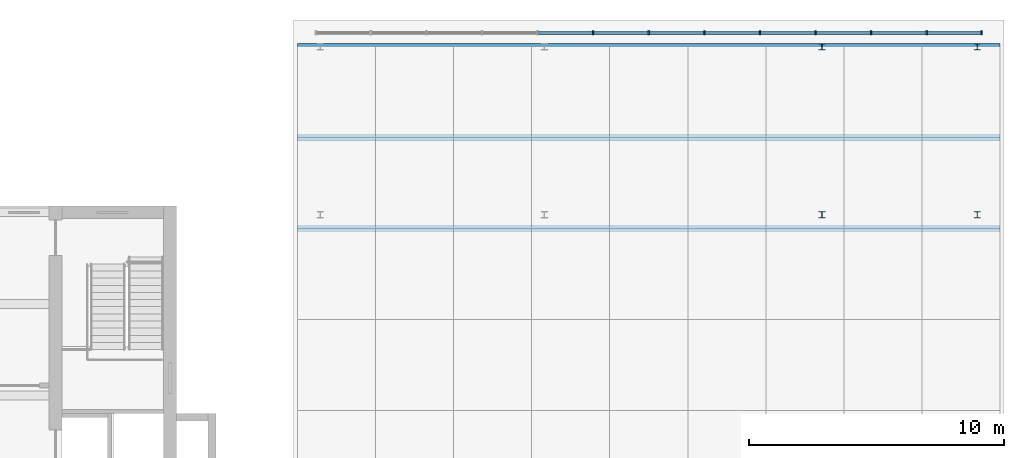
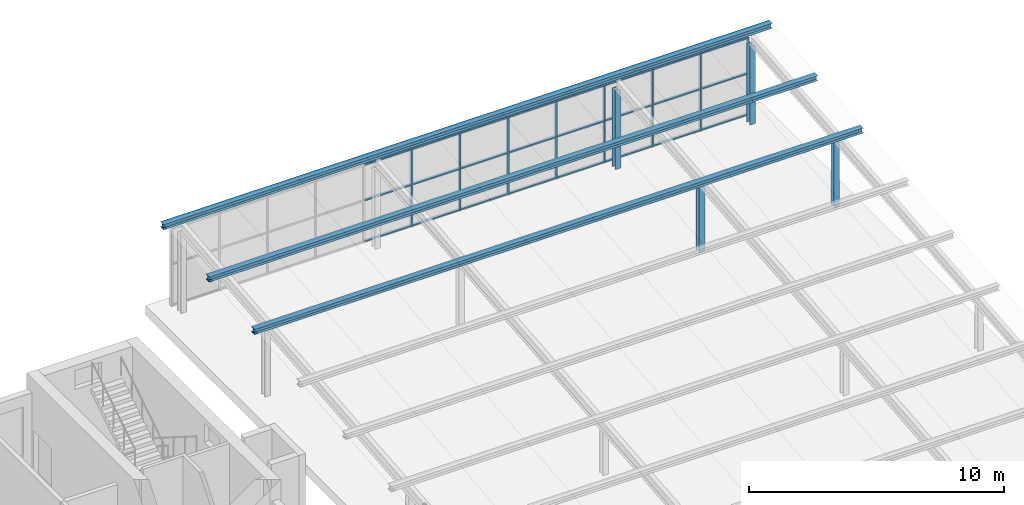
# One storey, part 27 of 44: 39 members, 1 element without a shape of its own.
"""IFC4 building model written with IfcOpenShell, lengths in metres."""

from ifc_helpers import new_model, si_unit, direction, frame, origin, origin_2d, place, context, subcontext, project, spatial, rectangle, i_section, extrude, material, layer, layer_set, material_profile, profile_set, type_object, element, aggregate, save


model = new_model("IFC4")

# Units and contexts
model_context = context("Model", 3, precision=1e-05, world=origin(), true_north=direction((0.0, 1.0)))
body_context = subcontext(model_context, "Body", "Model", "MODEL_VIEW")
ifc_project = project(units=[si_unit("LENGTHUNIT", "METRE"), si_unit("AREAUNIT", "SQUARE_METRE"), si_unit("VOLUMEUNIT", "CUBIC_METRE"), si_unit("PLANEANGLEUNIT", "RADIAN"), si_unit("MASSUNIT", "GRAM", prefix="KILO")], contexts=[model_context])

# Site, building, storey
site_placement = place(None, origin())
site = spatial("IfcSite", under=ifc_project, at=site_placement, CompositionType="ELEMENT")
building_placement = place(site_placement, origin())
building = spatial("IfcBuilding", under=site, at=building_placement, Name="Basin Gate Institute", CompositionType="ELEMENT")
storey_placement = place(building_placement, frame((0.0, 0.0, 27.0)))
storey = spatial("IfcBuildingStorey", under=building, at=storey_placement, Name="L05", CompositionType="ELEMENT", Elevation=27.0)

# Curtain wall, members
ifc_material_1 = material(Name="Aluminium and glass curtain wall", Category="aluminium")
ifc_layer = layer(ifc_material_1, 0.14990234375)
ifc_layer_set = layer_set([ifc_layer], Name="Atrium curtain wall CW81")
curtain_wall_type = type_object("IfcCurtainWallType", Name="Atrium curtain wall CW81", PredefinedType="NOTDEFINED", material=ifc_layer_set)
curtain_wall_placement = place(storey_placement, origin())
curtain_wall = element("IfcCurtainWall", 1, at=curtain_wall_placement, inside=storey, type_object=curtain_wall_type, material=ifc_layer_set, Name="Clean block north clerestory glazing", PredefinedType="NOTDEFINED")
ifc_material_2 = material(Name="Aluminium mullion", Category="aluminium")
ifc_material_profile_1 = material_profile(ifc_material_2, rectangle(XDim=0.159912109375, YDim=0.06005859375, at=origin_2d()), Name="Atrium mullion MU81 160 x 60")
ifc_profile_set_1 = profile_set([ifc_material_profile_1], Name="Aluminium mullion")
member_type_1 = type_object("IfcMemberType", Name="Atrium mullion MU81", PredefinedType="MULLION", material=ifc_profile_set_1)
member_1_placement = place(storey_placement, frame((135.416748046875, 106.949951171875, 0.0), z_axis=(0.0, 0.0, 1.0), x_axis=(0.0, 1.0, 0.0)))
member_1 = element("IfcMember", 2, at=member_1_placement, type_object=member_type_1, material=ifc_profile_set_1, Name="CW81 mullion 6", PredefinedType="MULLION", context=body_context, shape_type="SweptSolid", body=[
    extrude(rectangle(XDim=0.159912109375, YDim=0.06005859375, at=origin_2d()), origin(), (0.0, 0.0, 1.0), 3.729736328125),
])
member_2_placement = place(storey_placement, frame((137.60009765625, 106.949951171875, 0.0), z_axis=(0.0, 0.0, 1.0), x_axis=(0.0, 1.0, 0.0)))
member_2 = element("IfcMember", 3, at=member_2_placement, type_object=member_type_1, material=ifc_profile_set_1, Name="CW81 mullion 7", PredefinedType="MULLION", context=body_context, shape_type="SweptSolid", body=[
    extrude(rectangle(XDim=0.159912109375, YDim=0.06005859375, at=origin_2d()), origin(), (0.0, 0.0, 1.0), 3.729736328125),
])
member_3_placement = place(storey_placement, frame((139.783447265625, 106.949951171875, 0.0), z_axis=(0.0, 0.0, 1.0), x_axis=(0.0, 1.0, 0.0)))
member_3 = element("IfcMember", 4, at=member_3_placement, type_object=member_type_1, material=ifc_profile_set_1, Name="CW81 mullion 8", PredefinedType="MULLION", context=body_context, shape_type="SweptSolid", body=[
    extrude(rectangle(XDim=0.159912109375, YDim=0.06005859375, at=origin_2d()), origin(), (0.0, 0.0, 1.0), 3.729736328125),
])
member_4_placement = place(storey_placement, frame((141.966552734375, 106.949951171875, 0.0), z_axis=(0.0, 0.0, 1.0), x_axis=(0.0, 1.0, 0.0)))
member_4 = element("IfcMember", 5, at=member_4_placement, type_object=member_type_1, material=ifc_profile_set_1, Name="CW81 mullion 9", PredefinedType="MULLION", context=body_context, shape_type="SweptSolid", body=[
    extrude(rectangle(XDim=0.159912109375, YDim=0.06005859375, at=origin_2d()), origin(), (0.0, 0.0, 1.0), 3.729736328125),
])
member_5_placement = place(storey_placement, frame((144.14990234375, 106.949951171875, 0.0), z_axis=(0.0, 0.0, 1.0), x_axis=(0.0, 1.0, 0.0)))
member_5 = element("IfcMember", 6, at=member_5_placement, type_object=member_type_1, material=ifc_profile_set_1, Name="CW81 mullion 10", PredefinedType="MULLION", context=body_context, shape_type="SweptSolid", body=[
    extrude(rectangle(XDim=0.159912109375, YDim=0.06005859375, at=origin_2d()), origin(), (0.0, 0.0, 1.0), 3.729736328125),
])
member_6_placement = place(storey_placement, frame((146.333251953125, 106.949951171875, 0.0), z_axis=(0.0, 0.0, 1.0), x_axis=(0.0, 1.0, 0.0)))
member_6 = element("IfcMember", 7, at=member_6_placement, type_object=member_type_1, material=ifc_profile_set_1, Name="CW81 mullion 11", PredefinedType="MULLION", context=body_context, shape_type="SweptSolid", body=[
    extrude(rectangle(XDim=0.159912109375, YDim=0.06005859375, at=origin_2d()), origin(), (0.0, 0.0, 1.0), 3.729736328125),
])
member_7_placement = place(storey_placement, frame((148.5166015625, 106.949951171875, 0.0), z_axis=(0.0, 0.0, 1.0), x_axis=(0.0, 1.0, 0.0)))
member_7 = element("IfcMember", 8, at=member_7_placement, type_object=member_type_1, material=ifc_profile_set_1, Name="CW81 mullion 12", PredefinedType="MULLION", context=body_context, shape_type="SweptSolid", body=[
    extrude(rectangle(XDim=0.159912109375, YDim=0.06005859375, at=origin_2d()), origin(), (0.0, 0.0, 1.0), 3.729736328125),
])
member_8_placement = place(storey_placement, frame((150.669921875, 106.949951171875, 0.0), z_axis=(0.0, 0.0, 1.0), x_axis=(0.0, 1.0, 0.0)))
member_8 = element("IfcMember", 9, at=member_8_placement, type_object=member_type_1, material=ifc_profile_set_1, Name="CW81 mullion 13", PredefinedType="MULLION", context=body_context, shape_type="SweptSolid", body=[
    extrude(rectangle(XDim=0.159912109375, YDim=0.06005859375, at=origin_2d()), origin(), (0.0, 0.0, 1.0), 3.729736328125),
])
ifc_material_3 = material(Name="Aluminium transom", Category="aluminium")
ifc_material_profile_2 = material_profile(ifc_material_3, rectangle(XDim=0.1201171875, YDim=0.06005859375, at=origin_2d()), Name="Atrium transom TR81 120 x 60")
ifc_profile_set_2 = profile_set([ifc_material_profile_2], Name="Aluminium transom")
member_type_2 = type_object("IfcMemberType", Name="Atrium transom TR81", PredefinedType="USERDEFINED", material=ifc_profile_set_2)
member_9_placement = place(storey_placement, frame((133.263427734375, 106.949951171875, 0.030029296875), z_axis=(1.0, 0.0, 0.0), x_axis=(0.0, 1.0, 0.0)))
member_9 = element("IfcMember", 10, at=member_9_placement, type_object=member_type_2, material=ifc_profile_set_2, Name="CW81 transom 5.1", ObjectType="TRANSOM", PredefinedType="USERDEFINED", context=body_context, shape_type="SweptSolid", body=[
    extrude(rectangle(XDim=0.1201171875, YDim=0.06005859375, at=origin_2d()), origin(), (0.0, 0.0, 1.0), 2.123291015625),
])
member_10_placement = place(storey_placement, frame((133.263427734375, 106.949951171875, 2.0), z_axis=(1.0, 0.0, 0.0), x_axis=(0.0, 1.0, 0.0)))
member_10 = element("IfcMember", 11, at=member_10_placement, type_object=member_type_2, material=ifc_profile_set_2, Name="CW81 transom 5.2", ObjectType="TRANSOM", PredefinedType="USERDEFINED", context=body_context, shape_type="SweptSolid", body=[
    extrude(rectangle(XDim=0.1201171875, YDim=0.06005859375, at=origin_2d()), origin(), (0.0, 0.0, 1.0), 2.123291015625),
])
member_11_placement = place(storey_placement, frame((133.263427734375, 106.949951171875, 3.69970703125), z_axis=(1.0, 0.0, 0.0), x_axis=(0.0, 1.0, 0.0)))
member_11 = element("IfcMember", 12, at=member_11_placement, type_object=member_type_2, material=ifc_profile_set_2, Name="CW81 transom 5.3", ObjectType="TRANSOM", PredefinedType="USERDEFINED", context=body_context, shape_type="SweptSolid", body=[
    extrude(rectangle(XDim=0.1201171875, YDim=0.06005859375, at=origin_2d()), origin(), (0.0, 0.0, 1.0), 2.123291015625),
])
member_12_placement = place(storey_placement, frame((135.44677734375, 106.949951171875, 0.030029296875), z_axis=(1.0, 0.0, 0.0), x_axis=(0.0, 1.0, 0.0)))
member_12 = element("IfcMember", 13, at=member_12_placement, type_object=member_type_2, material=ifc_profile_set_2, Name="CW81 transom 6.1", ObjectType="TRANSOM", PredefinedType="USERDEFINED", context=body_context, shape_type="SweptSolid", body=[
    extrude(rectangle(XDim=0.1201171875, YDim=0.06005859375, at=origin_2d()), origin(), (0.0, 0.0, 1.0), 2.123291015625),
])
member_13_placement = place(storey_placement, frame((135.44677734375, 106.949951171875, 2.0), z_axis=(1.0, 0.0, 0.0), x_axis=(0.0, 1.0, 0.0)))
member_13 = element("IfcMember", 14, at=member_13_placement, type_object=member_type_2, material=ifc_profile_set_2, Name="CW81 transom 6.2", ObjectType="TRANSOM", PredefinedType="USERDEFINED", context=body_context, shape_type="SweptSolid", body=[
    extrude(rectangle(XDim=0.1201171875, YDim=0.06005859375, at=origin_2d()), origin(), (0.0, 0.0, 1.0), 2.123291015625),
])
member_14_placement = place(storey_placement, frame((135.44677734375, 106.949951171875, 3.69970703125), z_axis=(1.0, 0.0, 0.0), x_axis=(0.0, 1.0, 0.0)))
member_14 = element("IfcMember", 15, at=member_14_placement, type_object=member_type_2, material=ifc_profile_set_2, Name="CW81 transom 6.3", ObjectType="TRANSOM", PredefinedType="USERDEFINED", context=body_context, shape_type="SweptSolid", body=[
    extrude(rectangle(XDim=0.1201171875, YDim=0.06005859375, at=origin_2d()), origin(), (0.0, 0.0, 1.0), 2.123291015625),
])
member_15_placement = place(storey_placement, frame((137.6298828125, 106.949951171875, 0.030029296875), z_axis=(1.0, 0.0, 0.0), x_axis=(0.0, 1.0, 0.0)))
member_15 = element("IfcMember", 16, at=member_15_placement, type_object=member_type_2, material=ifc_profile_set_2, Name="CW81 transom 7.1", ObjectType="TRANSOM", PredefinedType="USERDEFINED", context=body_context, shape_type="SweptSolid", body=[
    extrude(rectangle(XDim=0.1201171875, YDim=0.06005859375, at=origin_2d()), origin(), (0.0, 0.0, 1.0), 2.12353515625),
])
member_16_placement = place(storey_placement, frame((137.6298828125, 106.949951171875, 2.0), z_axis=(1.0, 0.0, 0.0), x_axis=(0.0, 1.0, 0.0)))
member_16 = element("IfcMember", 17, at=member_16_placement, type_object=member_type_2, material=ifc_profile_set_2, Name="CW81 transom 7.2", ObjectType="TRANSOM", PredefinedType="USERDEFINED", context=body_context, shape_type="SweptSolid", body=[
    extrude(rectangle(XDim=0.1201171875, YDim=0.06005859375, at=origin_2d()), origin(), (0.0, 0.0, 1.0), 2.12353515625),
])
member_17_placement = place(storey_placement, frame((137.6298828125, 106.949951171875, 3.69970703125), z_axis=(1.0, 0.0, 0.0), x_axis=(0.0, 1.0, 0.0)))
member_17 = element("IfcMember", 18, at=member_17_placement, type_object=member_type_2, material=ifc_profile_set_2, Name="CW81 transom 7.3", ObjectType="TRANSOM", PredefinedType="USERDEFINED", context=body_context, shape_type="SweptSolid", body=[
    extrude(rectangle(XDim=0.1201171875, YDim=0.06005859375, at=origin_2d()), origin(), (0.0, 0.0, 1.0), 2.12353515625),
])
member_18_placement = place(storey_placement, frame((139.813232421875, 106.949951171875, 0.030029296875), z_axis=(1.0, 0.0, 0.0), x_axis=(0.0, 1.0, 0.0)))
member_18 = element("IfcMember", 19, at=member_18_placement, type_object=member_type_2, material=ifc_profile_set_2, Name="CW81 transom 8.1", ObjectType="TRANSOM", PredefinedType="USERDEFINED", context=body_context, shape_type="SweptSolid", body=[
    extrude(rectangle(XDim=0.1201171875, YDim=0.06005859375, at=origin_2d()), origin(), (0.0, 0.0, 1.0), 2.12353515625),
])
member_19_placement = place(storey_placement, frame((139.813232421875, 106.949951171875, 2.0), z_axis=(1.0, 0.0, 0.0), x_axis=(0.0, 1.0, 0.0)))
member_19 = element("IfcMember", 20, at=member_19_placement, type_object=member_type_2, material=ifc_profile_set_2, Name="CW81 transom 8.2", ObjectType="TRANSOM", PredefinedType="USERDEFINED", context=body_context, shape_type="SweptSolid", body=[
    extrude(rectangle(XDim=0.1201171875, YDim=0.06005859375, at=origin_2d()), origin(), (0.0, 0.0, 1.0), 2.12353515625),
])
member_20_placement = place(storey_placement, frame((139.813232421875, 106.949951171875, 3.69970703125), z_axis=(1.0, 0.0, 0.0), x_axis=(0.0, 1.0, 0.0)))
member_20 = element("IfcMember", 21, at=member_20_placement, type_object=member_type_2, material=ifc_profile_set_2, Name="CW81 transom 8.3", ObjectType="TRANSOM", PredefinedType="USERDEFINED", context=body_context, shape_type="SweptSolid", body=[
    extrude(rectangle(XDim=0.1201171875, YDim=0.06005859375, at=origin_2d()), origin(), (0.0, 0.0, 1.0), 2.12353515625),
])
member_21_placement = place(storey_placement, frame((141.99658203125, 106.949951171875, 0.030029296875), z_axis=(1.0, 0.0, 0.0), x_axis=(0.0, 1.0, 0.0)))
member_21 = element("IfcMember", 22, at=member_21_placement, type_object=member_type_2, material=ifc_profile_set_2, Name="CW81 transom 9.1", ObjectType="TRANSOM", PredefinedType="USERDEFINED", context=body_context, shape_type="SweptSolid", body=[
    extrude(rectangle(XDim=0.1201171875, YDim=0.06005859375, at=origin_2d()), origin(), (0.0, 0.0, 1.0), 2.12353515625),
])
member_22_placement = place(storey_placement, frame((141.99658203125, 106.949951171875, 2.0), z_axis=(1.0, 0.0, 0.0), x_axis=(0.0, 1.0, 0.0)))
member_22 = element("IfcMember", 23, at=member_22_placement, type_object=member_type_2, material=ifc_profile_set_2, Name="CW81 transom 9.2", ObjectType="TRANSOM", PredefinedType="USERDEFINED", context=body_context, shape_type="SweptSolid", body=[
    extrude(rectangle(XDim=0.1201171875, YDim=0.06005859375, at=origin_2d()), origin(), (0.0, 0.0, 1.0), 2.12353515625),
])
member_23_placement = place(storey_placement, frame((141.99658203125, 106.949951171875, 3.69970703125), z_axis=(1.0, 0.0, 0.0), x_axis=(0.0, 1.0, 0.0)))
member_23 = element("IfcMember", 24, at=member_23_placement, type_object=member_type_2, material=ifc_profile_set_2, Name="CW81 transom 9.3", ObjectType="TRANSOM", PredefinedType="USERDEFINED", context=body_context, shape_type="SweptSolid", body=[
    extrude(rectangle(XDim=0.1201171875, YDim=0.06005859375, at=origin_2d()), origin(), (0.0, 0.0, 1.0), 2.12353515625),
])
member_24_placement = place(storey_placement, frame((144.179931640625, 106.949951171875, 0.030029296875), z_axis=(1.0, 0.0, 0.0), x_axis=(0.0, 1.0, 0.0)))
member_24 = element("IfcMember", 25, at=member_24_placement, type_object=member_type_2, material=ifc_profile_set_2, Name="CW81 transom 10.1", ObjectType="TRANSOM", PredefinedType="USERDEFINED", context=body_context, shape_type="SweptSolid", body=[
    extrude(rectangle(XDim=0.1201171875, YDim=0.06005859375, at=origin_2d()), origin(), (0.0, 0.0, 1.0), 2.123291015625),
])
member_25_placement = place(storey_placement, frame((144.179931640625, 106.949951171875, 2.0), z_axis=(1.0, 0.0, 0.0), x_axis=(0.0, 1.0, 0.0)))
member_25 = element("IfcMember", 26, at=member_25_placement, type_object=member_type_2, material=ifc_profile_set_2, Name="CW81 transom 10.2", ObjectType="TRANSOM", PredefinedType="USERDEFINED", context=body_context, shape_type="SweptSolid", body=[
    extrude(rectangle(XDim=0.1201171875, YDim=0.06005859375, at=origin_2d()), origin(), (0.0, 0.0, 1.0), 2.123291015625),
])
member_26_placement = place(storey_placement, frame((144.179931640625, 106.949951171875, 3.69970703125), z_axis=(1.0, 0.0, 0.0), x_axis=(0.0, 1.0, 0.0)))
member_26 = element("IfcMember", 27, at=member_26_placement, type_object=member_type_2, material=ifc_profile_set_2, Name="CW81 transom 10.3", ObjectType="TRANSOM", PredefinedType="USERDEFINED", context=body_context, shape_type="SweptSolid", body=[
    extrude(rectangle(XDim=0.1201171875, YDim=0.06005859375, at=origin_2d()), origin(), (0.0, 0.0, 1.0), 2.123291015625),
])
member_27_placement = place(storey_placement, frame((146.36328125, 106.949951171875, 0.030029296875), z_axis=(1.0, 0.0, 0.0), x_axis=(0.0, 1.0, 0.0)))
member_27 = element("IfcMember", 28, at=member_27_placement, type_object=member_type_2, material=ifc_profile_set_2, Name="CW81 transom 11.1", ObjectType="TRANSOM", PredefinedType="USERDEFINED", context=body_context, shape_type="SweptSolid", body=[
    extrude(rectangle(XDim=0.1201171875, YDim=0.06005859375, at=origin_2d()), origin(), (0.0, 0.0, 1.0), 2.123291015625),
])
member_28_placement = place(storey_placement, frame((146.36328125, 106.949951171875, 2.0), z_axis=(1.0, 0.0, 0.0), x_axis=(0.0, 1.0, 0.0)))
member_28 = element("IfcMember", 29, at=member_28_placement, type_object=member_type_2, material=ifc_profile_set_2, Name="CW81 transom 11.2", ObjectType="TRANSOM", PredefinedType="USERDEFINED", context=body_context, shape_type="SweptSolid", body=[
    extrude(rectangle(XDim=0.1201171875, YDim=0.06005859375, at=origin_2d()), origin(), (0.0, 0.0, 1.0), 2.123291015625),
])
member_29_placement = place(storey_placement, frame((146.36328125, 106.949951171875, 3.69970703125), z_axis=(1.0, 0.0, 0.0), x_axis=(0.0, 1.0, 0.0)))
member_29 = element("IfcMember", 30, at=member_29_placement, type_object=member_type_2, material=ifc_profile_set_2, Name="CW81 transom 11.3", ObjectType="TRANSOM", PredefinedType="USERDEFINED", context=body_context, shape_type="SweptSolid", body=[
    extrude(rectangle(XDim=0.1201171875, YDim=0.06005859375, at=origin_2d()), origin(), (0.0, 0.0, 1.0), 2.123291015625),
])
member_30_placement = place(storey_placement, frame((148.546630859375, 106.949951171875, 0.030029296875), z_axis=(1.0, 0.0, 0.0), x_axis=(0.0, 1.0, 0.0)))
member_30 = element("IfcMember", 31, at=member_30_placement, type_object=member_type_2, material=ifc_profile_set_2, Name="CW81 transom 12.1", ObjectType="TRANSOM", PredefinedType="USERDEFINED", context=body_context, shape_type="SweptSolid", body=[
    extrude(rectangle(XDim=0.1201171875, YDim=0.06005859375, at=origin_2d()), origin(), (0.0, 0.0, 1.0), 2.09326171875),
])
member_31_placement = place(storey_placement, frame((148.546630859375, 106.949951171875, 2.0), z_axis=(1.0, 0.0, 0.0), x_axis=(0.0, 1.0, 0.0)))
member_31 = element("IfcMember", 32, at=member_31_placement, type_object=member_type_2, material=ifc_profile_set_2, Name="CW81 transom 12.2", ObjectType="TRANSOM", PredefinedType="USERDEFINED", context=body_context, shape_type="SweptSolid", body=[
    extrude(rectangle(XDim=0.1201171875, YDim=0.06005859375, at=origin_2d()), origin(), (0.0, 0.0, 1.0), 2.09326171875),
])
member_32_placement = place(storey_placement, frame((148.546630859375, 106.949951171875, 3.69970703125), z_axis=(1.0, 0.0, 0.0), x_axis=(0.0, 1.0, 0.0)))
member_32 = element("IfcMember", 33, at=member_32_placement, type_object=member_type_2, material=ifc_profile_set_2, Name="CW81 transom 12.3", ObjectType="TRANSOM", PredefinedType="USERDEFINED", context=body_context, shape_type="SweptSolid", body=[
    extrude(rectangle(XDim=0.1201171875, YDim=0.06005859375, at=origin_2d()), origin(), (0.0, 0.0, 1.0), 2.09326171875),
])
aggregate(curtain_wall, [member_1, member_2, member_3, member_4, member_5, member_6, member_7, member_8, member_9, member_10, member_11, member_12, member_13, member_14, member_15, member_16, member_17, member_18, member_19, member_20, member_21, member_22, member_23, member_24, member_25, member_26, member_27, member_28, member_29, member_30, member_31, member_32])

# Members
ifc_material_4 = material(Name="Structural steel SN490", Category="steel")
ifc_material_profile_3 = material_profile(ifc_material_4, i_section(OverallWidth=0.25, OverallDepth=0.25, WebThickness=0.009033203125, FlangeThickness=0.013916015625, FilletRadius=0.01611328125, at=origin_2d()), Name="H250x250")
ifc_profile_set_3 = profile_set([ifc_material_profile_3], Name="Structural steel SN490")
member_type_3 = type_object("IfcMemberType", Name="Umbrella post TC3 R120", PredefinedType="POST", material=ifc_profile_set_3)
member_33_placement = place(storey_placement, frame((144.39990234375, 99.800048828125, 0.0), z_axis=(0.0, 0.0, 1.0), x_axis=(1.0, 0.0, 0.0)))
element("IfcMember", 34, at=member_33_placement, inside=storey, type_object=member_type_3, material=ifc_profile_set_3, Name="Umbrella roof post 3/4", PredefinedType="POST", context=body_context, shape_type="SweptSolid", body=[
    extrude(i_section(OverallWidth=0.25, OverallDepth=0.25, WebThickness=0.009033203125, FlangeThickness=0.013916015625, FilletRadius=0.01611328125, at=origin_2d()), origin(), (0.0, 0.0, 1.0), 3.139404296875),
])
member_34_placement = place(storey_placement, frame((144.39990234375, 106.39990234375, 0.0), z_axis=(0.0, 0.0, 1.0), x_axis=(1.0, 0.0, 0.0)))
element("IfcMember", 35, at=member_34_placement, inside=storey, type_object=member_type_3, material=ifc_profile_set_3, Name="Umbrella roof post 3/5", PredefinedType="POST", context=body_context, shape_type="SweptSolid", body=[
    extrude(i_section(OverallWidth=0.25, OverallDepth=0.25, WebThickness=0.009033203125, FlangeThickness=0.013916015625, FilletRadius=0.01611328125, at=origin_2d()), origin(), (0.0, 0.0, 1.0), 3.77978515625),
])
member_35_placement = place(storey_placement, frame((150.5, 99.800048828125, 0.0), z_axis=(0.0, 0.0, 1.0), x_axis=(1.0, 0.0, 0.0)))
element("IfcMember", 36, at=member_35_placement, inside=storey, type_object=member_type_3, material=ifc_profile_set_3, Name="Umbrella roof post 4/4", PredefinedType="POST", context=body_context, shape_type="SweptSolid", body=[
    extrude(i_section(OverallWidth=0.25, OverallDepth=0.25, WebThickness=0.009033203125, FlangeThickness=0.013916015625, FilletRadius=0.01611328125, at=origin_2d()), origin(), (0.0, 0.0, 1.0), 3.139404296875),
])
member_36_placement = place(storey_placement, frame((150.5, 106.39990234375, 0.0), z_axis=(0.0, 0.0, 1.0), x_axis=(1.0, 0.0, 0.0)))
element("IfcMember", 37, at=member_36_placement, inside=storey, type_object=member_type_3, material=ifc_profile_set_3, Name="Umbrella roof post 4/5", PredefinedType="POST", context=body_context, shape_type="SweptSolid", body=[
    extrude(i_section(OverallWidth=0.25, OverallDepth=0.25, WebThickness=0.009033203125, FlangeThickness=0.013916015625, FilletRadius=0.01611328125, at=origin_2d()), origin(), (0.0, 0.0, 1.0), 3.77978515625),
])
ifc_material_5 = material(Name="Structural steel SN490", Category="steel")
ifc_material_profile_4 = material_profile(ifc_material_5, i_section(OverallWidth=0.25, OverallDepth=0.25, WebThickness=0.009033203125, FlangeThickness=0.013916015625, FilletRadius=0.01611328125, at=origin_2d()), Name="H250x250")
ifc_profile_set_4 = profile_set([ifc_material_profile_4], Name="Structural steel SN490")
member_type_4 = type_object("IfcMemberType", Name="Umbrella purlin TC3 R120", PredefinedType="PURLIN", material=ifc_profile_set_4)
for number, where, z_axis, x_axis, name in (
    (38, (123.800048828125, 99.260009765625, 3.71435546875), (1.0, 0.0, 0.0), (0.0, 1.0, 0.0), "Umbrella roof purlin 9"),
    (39, (123.800048828125, 102.830078125, 4.060546875), (1.0, 0.0, 0.0), (0.0, 1.0, 0.0), "Umbrella roof purlin 10"),
    (40, (123.800048828125, 106.39990234375, 4.406982421875), (1.0, 0.0, 0.0), (0.0, 1.0, 0.0), "Umbrella roof purlin 11"),
):
    element("IfcMember", number, at=place(storey_placement, frame(where, z_axis=z_axis, x_axis=x_axis)), inside=storey, type_object=member_type_4, material=ifc_profile_set_4, Name=name, PredefinedType="PURLIN", context=body_context, shape_type="SweptSolid", body=[
        extrude(i_section(OverallWidth=0.25, OverallDepth=0.25, WebThickness=0.009033203125, FlangeThickness=0.013916015625, FilletRadius=0.01611328125, at=origin_2d()), origin(), (0.0, 0.0, 1.0), 27.599853515625),
    ])

save(model, "model.ifc")
